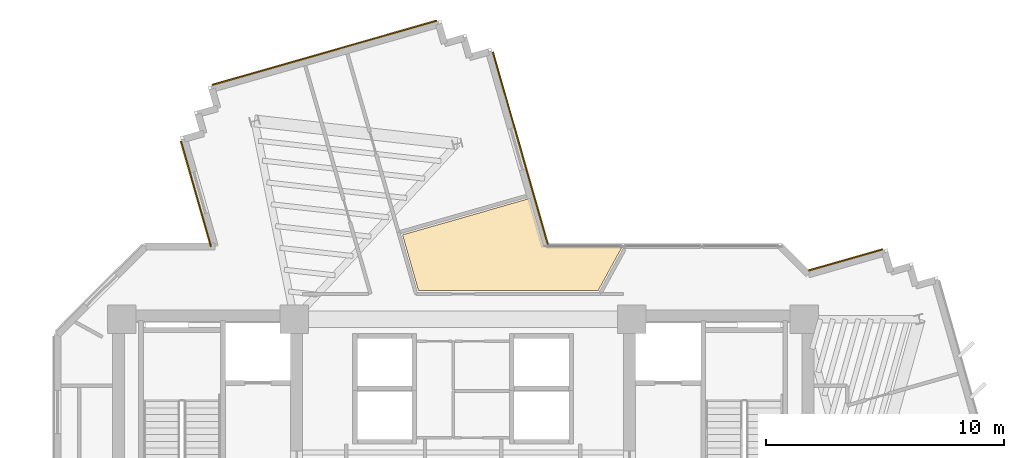
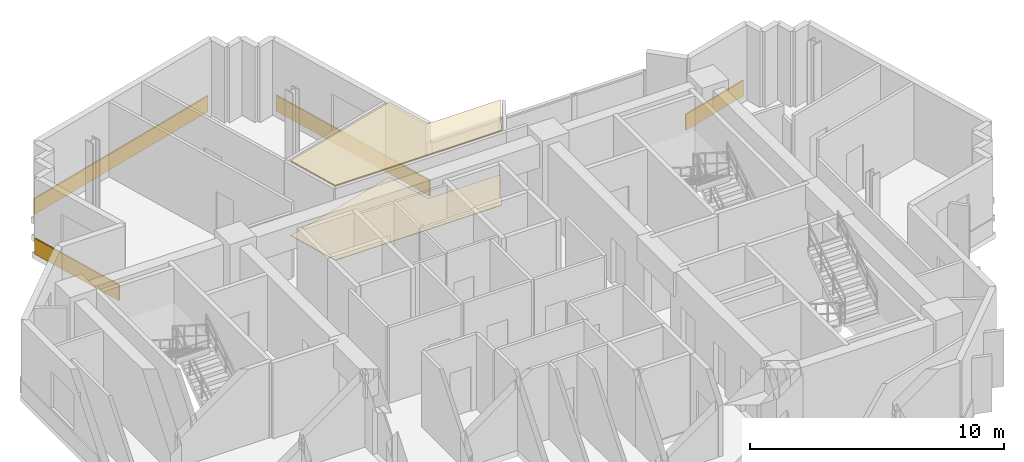
# One storey, part 14 of 14: 6 coverings.
"""IFC4 building model written with IfcOpenShell, lengths in metres."""

from ifc_helpers import new_model, si_unit, direction, frame, origin, origin_2d, place, context, subcontext, project, spatial, polyline, rectangle, outline, extrude, source, transform, mapped, material, layer, layer_set, type_object, element, save


model = new_model("IFC4")

# Units and contexts
model_context = context("Model", 3, precision=1e-05, world=origin(), true_north=direction((0.0, 1.0)))
body_context = subcontext(model_context, "Body", "Model", "MODEL_VIEW")
ifc_project = project(units=[si_unit("LENGTHUNIT", "METRE"), si_unit("AREAUNIT", "SQUARE_METRE"), si_unit("VOLUMEUNIT", "CUBIC_METRE"), si_unit("PLANEANGLEUNIT", "RADIAN"), si_unit("MASSUNIT", "GRAM", prefix="KILO")], contexts=[model_context])

# Site, building, storey
site_placement = place(None, origin())
site = spatial("IfcSite", under=ifc_project, at=site_placement, CompositionType="ELEMENT")
building_placement = place(site_placement, origin())
building = spatial("IfcBuilding", under=site, at=building_placement, Name="Zahravan Cultural Tower", CompositionType="ELEMENT")
storey_placement = place(building_placement, frame((0.0, 0.0, 209.699951171875)))
storey = spatial("IfcBuildingStorey", under=building, at=storey_placement, Name="L49", CompositionType="ELEMENT", Elevation=209.699951171875)

# Coverings
ifc_material_1 = material(Name="Acoustic mineral fibreboard")
ifc_layer_1 = layer(ifc_material_1, 0.0400390625)
ifc_layer_set_1 = layer_set([ifc_layer_1], Name="Acoustic mineral fibreboard")
covering_type_1 = type_object("IfcCoveringType", Name="COV-CEIL-AC20", PredefinedType="CEILING", material=ifc_layer_set_1)
covering_1_placement = place(storey_placement, frame((0.0, 0.0, 3.580078125)))
element("IfcCovering", 1, at=covering_1_placement, inside=storey, type_object=covering_type_1, Name="L49 Acoustic Suspended Ceiling", PredefinedType="CEILING", context=body_context, shape_type="SweptSolid", body=[
    extrude(outline(polyline([(42.684814453125, 39.239990234375), (39.516357421875, 39.239990234375), (39.450927734375, 39.256591796875), (39.400390625, 39.298828125), (39.374755859375, 39.348388671875), (38.820556640625, 41.2861328125), (33.45556640625, 39.751953125), (34.128173828125, 37.39990234375), (41.67431640625, 37.39990234375), (42.684814453125, 39.239990234375)])), origin(), (0.0, 0.0, 1.0), 0.0400390625),
])
ifc_material_2 = material(Name="Terrazzo flooring")
ifc_layer_2 = layer(ifc_material_2, 0.02490234375)
ifc_layer_set_2 = layer_set([ifc_layer_2], Name="Terrazzo flooring")
covering_type_2 = type_object("IfcCoveringType", Name="COV-FLR-TZ25", PredefinedType="FLOORING", material=ifc_layer_set_2)
covering_2_placement = place(storey_placement, origin())
element("IfcCovering", 2, at=covering_2_placement, inside=storey, type_object=covering_type_2, Name="L49 Polished Terrazzo Flooring", PredefinedType="FLOORING", context=body_context, shape_type="SweptSolid", body=[
    extrude(outline(polyline([(42.684814453125, 39.239990234375), (39.516357421875, 39.239990234375), (39.450927734375, 39.256591796875), (39.400390625, 39.298828125), (39.374755859375, 39.348388671875), (38.820556640625, 41.2861328125), (33.45556640625, 39.751953125), (34.128173828125, 37.39990234375), (41.67431640625, 37.39990234375), (42.684814453125, 39.239990234375)])), origin(), (0.0, 0.0, 1.0), 0.025146484375),
])
ifc_material_3 = material(Name="Terracotta ceramic cladding", Category="masonry")
ifc_layer_3 = layer(ifc_material_3, 0.06005859375)
ifc_layer_set_3 = layer_set([ifc_layer_3], Name="Terracotta ceramic cladding")
covering_type_3 = type_object("IfcCoveringType", Name="COV-CLAD-TC60", PredefinedType="CLADDING", material=ifc_layer_set_3)
shared_shape_1 = source(origin(), body_context, "Body", "SweptSolid", [
    extrude(rectangle(XDim=9.820068359375, YDim=0.06005859375, at=origin_2d()), origin(), (0.0, 0.0, 1.0), 0.760009765625),
])
covering_3_placement = place(storey_placement, frame((30.163818359375, 47.406982421875, 0.02001953125), z_axis=(0.0, 0.0, 1.0), x_axis=(0.961453892845, 0.274966201438, 0.0)))
element("IfcCovering", 3, at=covering_3_placement, inside=storey, type_object=covering_type_3, Name="L49 Terracotta Spandrel Cladding 46", PredefinedType="CLADDING", context=body_context, shape_type="MappedRepresentation", body=[
    mapped(shared_shape_1, transform((0.0, 0.0, 0.0), x_axis=(1.0, 0.0, 0.0), y_axis=(0.0, 1.0, 0.0), z_axis=(0.0, 0.0, 1.0), scale=1.0)),
])
shared_shape_2 = source(origin(), body_context, "Body", "SweptSolid", [
    extrude(rectangle(XDim=3.251220703125, YDim=0.06005859375, at=origin_2d()), origin(), (0.0, 0.0, 1.0), 0.760009765625),
])
covering_4_placement = place(storey_placement, frame((52.08740234375, 38.699462890625, 0.02001953125), z_axis=(0.0, 0.0, 1.0), x_axis=(0.961449093633, 0.274982981932, 0.0)))
element("IfcCovering", 4, at=covering_4_placement, inside=storey, type_object=covering_type_3, Name="L49 Terracotta Spandrel Cladding 01", PredefinedType="CLADDING", context=body_context, shape_type="MappedRepresentation", body=[
    mapped(shared_shape_2, transform((0.0, 0.0, 0.0), x_axis=(1.0, 0.0, 0.0), y_axis=(0.0, 1.0, 0.0), z_axis=(0.0, 0.0, 1.0), scale=1.0)),
])
shared_shape_3 = source(origin(), body_context, "Body", "SweptSolid", [
    extrude(rectangle(XDim=4.603759765625, YDim=0.06005859375, at=origin_2d()), origin(), (0.0, 0.0, 1.0), 0.760009765625),
])
covering_5_placement = place(storey_placement, frame((24.761474609375, 41.475830078125, 0.02001953125), z_axis=(0.0, 0.0, 1.0), x_axis=(-0.274966201438, 0.961453892845, 0.0)))
element("IfcCovering", 5, at=covering_5_placement, inside=storey, type_object=covering_type_3, Name="L49 Terracotta Spandrel Cladding 41", PredefinedType="CLADDING", context=body_context, shape_type="MappedRepresentation", body=[
    mapped(shared_shape_3, transform((0.0, 0.0, 0.0), x_axis=(1.0, 0.0, 0.0), y_axis=(0.0, 1.0, 0.0), z_axis=(0.0, 0.0, 1.0), scale=1.0)),
])
shared_shape_4 = source(origin(), body_context, "Body", "SweptSolid", [
    extrude(rectangle(XDim=8.4130859375, YDim=0.06005859375, at=origin_2d()), origin(), (0.0, 0.0, 1.0), 0.760009765625),
])
covering_6_placement = place(storey_placement, frame((38.408935546875, 43.39794921875, 0.02001953125), z_axis=(0.0, 0.0, 1.0), x_axis=(0.274966201438, -0.961453892845, 0.0)))
element("IfcCovering", 6, at=covering_6_placement, inside=storey, type_object=covering_type_3, Name="L49 Terracotta Spandrel Cladding 51", PredefinedType="CLADDING", context=body_context, shape_type="MappedRepresentation", body=[
    mapped(shared_shape_4, transform((0.0, 0.0, 0.0), x_axis=(1.0, 0.0, 0.0), y_axis=(0.0, 1.0, 0.0), z_axis=(0.0, 0.0, 1.0), scale=1.0)),
])

save(model, "model.ifc")
